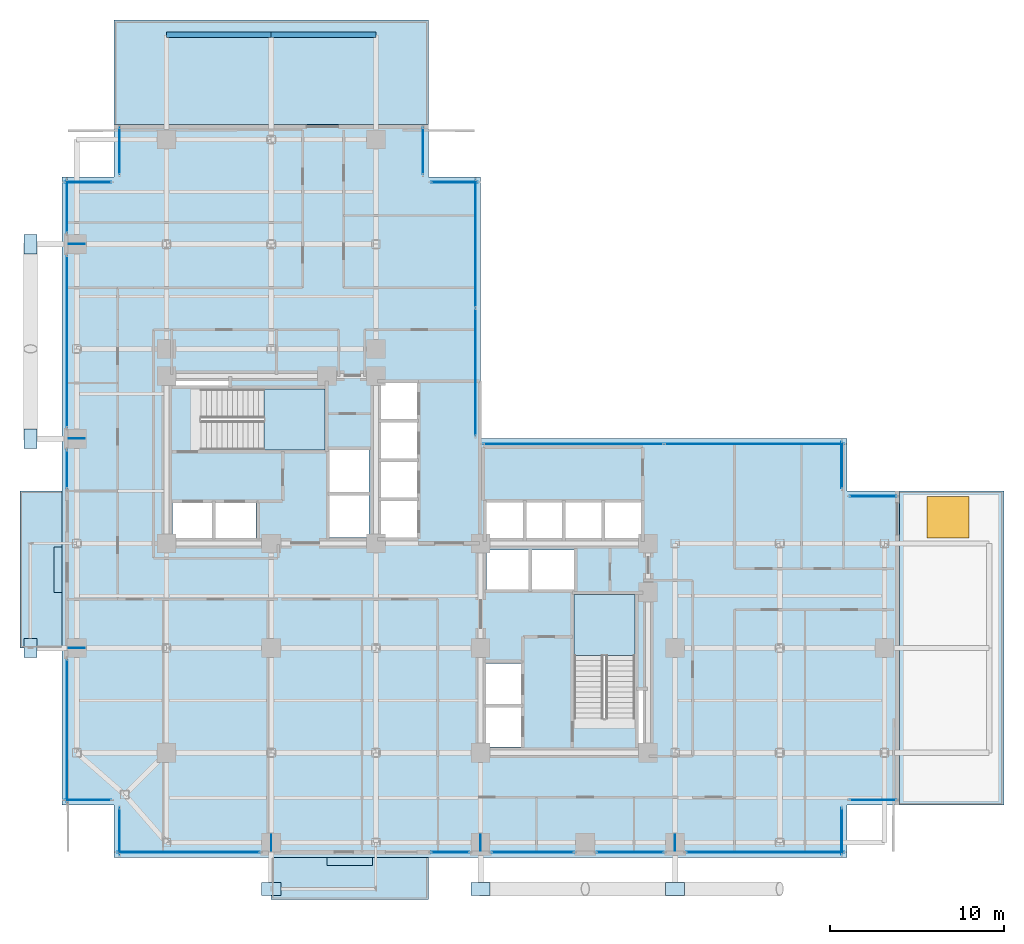
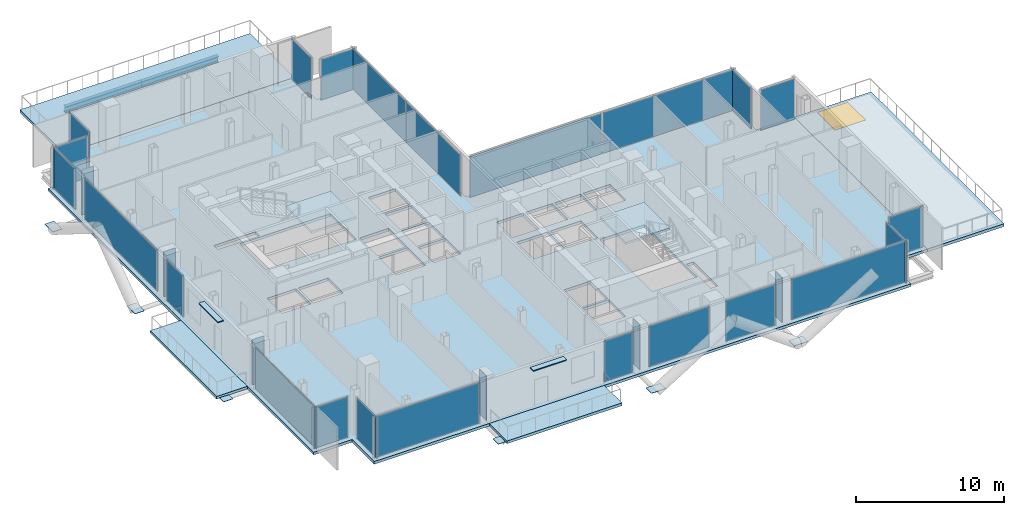
# One storey, part 18 of 26: 37 plates, 7 slabs, 2 beams, 1 window, 1 opening, 23 elements without a shape of their own.
"""IFC4 building model written with IfcOpenShell, lengths in metres."""

from ifc_helpers import new_model, si_unit, direction, frame, origin, origin_2d, place, context, subcontext, project, spatial, polyline, rectangle, i_section, outline, extrude, material, layer, layer_set, material_profile, profile_set, type_object, element, fill, aggregate, save


model = new_model("IFC4")

# Units and contexts
model_context = context("Model", 3, precision=1e-05, world=origin(), true_north=direction((0.0, 1.0)))
body_context = subcontext(model_context, "Body", "Model", "MODEL_VIEW")
ifc_project = project(units=[si_unit("LENGTHUNIT", "METRE"), si_unit("AREAUNIT", "SQUARE_METRE"), si_unit("VOLUMEUNIT", "CUBIC_METRE"), si_unit("PLANEANGLEUNIT", "RADIAN"), si_unit("MASSUNIT", "GRAM", prefix="KILO"), si_unit("THERMODYNAMICTEMPERATUREUNIT", "KELVIN"), si_unit("POWERUNIT", "WATT")], contexts=[model_context])

# Site, building, storey
site_placement = place(None, origin())
site = spatial("IfcSite", under=ifc_project, at=site_placement, CompositionType="ELEMENT")
building_placement = place(site_placement, origin())
building = spatial("IfcBuilding", under=site, at=building_placement, Name="Svarakhadi Broadcast Tower", CompositionType="ELEMENT")
storey_placement = place(building_placement, frame((0.0, 0.0, 99.60009765625)))
storey = spatial("IfcBuildingStorey", under=building, at=storey_placement, Name="L23", CompositionType="ELEMENT", Elevation=99.60009765625)

# Beams
ifc_material_1 = material(Name="Steel S355J2 (IS 2062 E350C)", Category="steel")
ifc_material_profile = material_profile(ifc_material_1, i_section(OverallWidth=0.300048828125, OverallDepth=0.5, WebThickness=0.014404296875, FlangeThickness=0.028076171875, FilletRadius=0.027099609375, at=origin_2d()), Name="WPB 500x300x187")
ifc_profile_set = profile_set([ifc_material_profile], Name="Steel S355J2 (IS 2062 E350C)")
beam_type = type_object("IfcBeamType", Name="Girder_WPB500", PredefinedType="USERDEFINED", material=ifc_profile_set)
for number, where, z_axis, x_axis, name in (
    (1, (6.0, 47.14990234375, -0.489990234375), (1.0, 0.0, 0.0), (0.0, 1.0, 0.0), "L23 North Setback Terrace Rim Girder 1"),
    (2, (12.0, 47.14990234375, -0.489990234375), (1.0, 0.0, 0.0), (0.0, 1.0, 0.0), "L23 North Setback Terrace Rim Girder 2"),
):
    element("IfcBeam", number, at=place(storey_placement, frame(where, z_axis=z_axis, x_axis=x_axis)), inside=storey, type_object=beam_type, Name=name, ObjectType="GIRDER", PredefinedType="USERDEFINED", context=body_context, shape_type="SweptSolid", body=[
        extrude(i_section(OverallWidth=0.300048828125, OverallDepth=0.5, WebThickness=0.014404296875, FlangeThickness=0.028076171875, FilletRadius=0.027099609375, at=origin_2d()), origin(), (0.0, 0.0, 1.0), 6.0),
    ])

# Curtain wall, plate
ifc_material_2 = material(Name="Anodised Bronze Aluminium AA 6063-T6", Category="aluminium")
ifc_layer_1 = layer(ifc_material_2, 0.199951171875)
ifc_layer_set_1 = layer_set([ifc_layer_1], Name="Anodised Bronze Aluminium AA 6063-T6")
curtain_wall_type = type_object("IfcCurtainWallType", Name="CW_Sys_03", PredefinedType="NOTDEFINED", material=ifc_layer_set_1)
curtain_wall_1_placement = place(storey_placement, origin())
curtain_wall_1 = element("IfcCurtainWall", 3, at=curtain_wall_1_placement, inside=storey, type_object=curtain_wall_type, Name="L23 Unitised Facade Curtain Wall 01", PredefinedType="NOTDEFINED")
ifc_material_3 = material(Name="Double Low-E Laminated Acoustic Glass IGU 36 mm", Category="glass")
ifc_layer_2 = layer(ifc_material_3, 0.035888671875)
ifc_layer_set_2 = layer_set([ifc_layer_2], Name="Double Low-E Laminated Acoustic Glass IGU 36 mm")
plate_type_1 = type_object("IfcPlateType", Name="CW_Sys_03_Pnl", PredefinedType="CURTAIN_PANEL", material=ifc_layer_set_2)
plate_1_placement = place(storey_placement, frame((1.5, 3.300048828125, 0.06982421875), z_axis=(0.0, 0.0, 1.0), x_axis=(-1.0, 0.0, 0.0)))
plate_1 = element("IfcPlate", 4, at=plate_1_placement, type_object=plate_type_1, Name="CW-03 panel 1.1", PredefinedType="CURTAIN_PANEL", context=body_context, shape_type="SweptSolid", body=[
    extrude(rectangle(XDim=2.669921875, YDim=0.035888671875, at=origin_2d()), origin(), (0.0, 0.0, 1.0), 3.385009765625),
])
aggregate(curtain_wall_1, [plate_1])

curtain_wall_2_placement = place(storey_placement, origin())
curtain_wall_2 = element("IfcCurtainWall", 5, at=curtain_wall_2_placement, inside=storey, type_object=curtain_wall_type, Name="L23 West Curtain Wall 02", PredefinedType="NOTDEFINED")
plate_2_placement = place(storey_placement, frame((0.300048828125, 7.260009765625, 0.06982421875), z_axis=(0.0, 0.0, 1.0), x_axis=(0.0, 1.0, 0.0)))
plate_2 = element("IfcPlate", 6, at=plate_2_placement, type_object=plate_type_1, Name="CW-03 panel 1.1", PredefinedType="CURTAIN_PANEL", context=body_context, shape_type="SweptSolid", body=[
    extrude(rectangle(XDim=8.18994140625, YDim=0.035888671875, at=origin_2d()), origin(), (0.0, 0.0, 1.0), 3.385009765625),
])
aggregate(curtain_wall_2, [plate_2])

curtain_wall_3_placement = place(storey_placement, origin())
curtain_wall_3 = element("IfcCurtainWall", 7, at=curtain_wall_3_placement, inside=storey, type_object=curtain_wall_type, Name="L23 West Curtain Wall 03 Bay 1", PredefinedType="NOTDEFINED")
plate_3_placement = place(storey_placement, frame((0.300048828125, 22.260009765625, 0.06982421875), z_axis=(0.0, 0.0, 1.0), x_axis=(0.0, 1.0, 0.0)))
plate_3 = element("IfcPlate", 8, at=plate_3_placement, type_object=plate_type_1, Name="CW-03 panel 1.1", PredefinedType="CURTAIN_PANEL", context=body_context, shape_type="SweptSolid", body=[
    extrude(rectangle(XDim=2.18994140625, YDim=0.035888671875, at=origin_2d()), origin(), (0.0, 0.0, 1.0), 3.385009765625),
])
aggregate(curtain_wall_3, [plate_3])

curtain_wall_4_placement = place(storey_placement, origin())
curtain_wall_4 = element("IfcCurtainWall", 9, at=curtain_wall_4_placement, inside=storey, type_object=curtain_wall_type, Name="L23 West Curtain Wall 03 Bay 2", PredefinedType="NOTDEFINED")
plate_4_placement = place(storey_placement, frame((0.300048828125, 29.574951171875, 0.06982421875), z_axis=(0.0, 0.0, 1.0), x_axis=(0.0, 1.0, 0.0)))
plate_4 = element("IfcPlate", 10, at=plate_4_placement, type_object=plate_type_1, Name="CW-03 panel 1.1", PredefinedType="CURTAIN_PANEL", context=body_context, shape_type="SweptSolid", body=[
    extrude(rectangle(XDim=9.860107421875, YDim=0.035888671875, at=origin_2d()), origin(), (0.0, 0.0, 1.0), 3.385009765625),
])
aggregate(curtain_wall_4, [plate_4])

curtain_wall_5_placement = place(storey_placement, origin())
curtain_wall_5 = element("IfcCurtainWall", 11, at=curtain_wall_5_placement, inside=storey, type_object=curtain_wall_type, Name="L23 West Curtain Wall 03 Bay 3", PredefinedType="NOTDEFINED")
plate_5_placement = place(storey_placement, frame((0.300048828125, 37.31494140625, 0.06982421875), z_axis=(0.0, 0.0, 1.0), x_axis=(0.0, 1.0, 0.0)))
plate_5 = element("IfcPlate", 12, at=plate_5_placement, type_object=plate_type_1, Name="CW-03 panel 1.1", PredefinedType="CURTAIN_PANEL", context=body_context, shape_type="SweptSolid", body=[
    extrude(rectangle(XDim=3.0400390625, YDim=0.035888671875, at=origin_2d()), origin(), (0.0, 0.0, 1.0), 3.385009765625),
])
aggregate(curtain_wall_5, [plate_5])

curtain_wall_6_placement = place(storey_placement, origin())
curtain_wall_6 = element("IfcCurtainWall", 13, at=curtain_wall_6_placement, inside=storey, type_object=curtain_wall_type, Name="L23 Unitised Facade Curtain Wall 04", PredefinedType="NOTDEFINED")
plate_6_placement = place(storey_placement, frame((1.5, 38.699951171875, 0.06982421875), z_axis=(0.0, 0.0, 1.0), x_axis=(1.0, 0.0, 0.0)))
plate_6 = element("IfcPlate", 14, at=plate_6_placement, type_object=plate_type_1, Name="CW-03 panel 1.1", PredefinedType="CURTAIN_PANEL", context=body_context, shape_type="SweptSolid", body=[
    extrude(rectangle(XDim=2.669921875, YDim=0.035888671875, at=origin_2d()), origin(), (0.0, 0.0, 1.0), 3.385009765625),
])
aggregate(curtain_wall_6, [plate_6])

curtain_wall_7_placement = place(storey_placement, origin())
curtain_wall_7 = element("IfcCurtainWall", 15, at=curtain_wall_7_placement, inside=storey, type_object=curtain_wall_type, Name="L23 Unitised Facade Curtain Wall 05", PredefinedType="NOTDEFINED")
plate_7_placement = place(storey_placement, frame((3.300048828125, 40.5, 0.06982421875), z_axis=(0.0, 0.0, 1.0), x_axis=(0.0, 1.0, 0.0)))
plate_7 = element("IfcPlate", 16, at=plate_7_placement, type_object=plate_type_1, Name="CW-03 panel 1.1", PredefinedType="CURTAIN_PANEL", context=body_context, shape_type="SweptSolid", body=[
    extrude(rectangle(XDim=2.669921875, YDim=0.035888671875, at=origin_2d()), origin(), (0.0, 0.0, 1.0), 3.385009765625),
])
aggregate(curtain_wall_7, [plate_7])

curtain_wall_8_placement = place(storey_placement, origin())
curtain_wall_8 = element("IfcCurtainWall", 17, at=curtain_wall_8_placement, inside=storey, type_object=curtain_wall_type, Name="L23 Unitised Facade Curtain Wall 06", PredefinedType="NOTDEFINED")
plate_8_placement = place(storey_placement, frame((20.699951171875, 40.5, 0.06982421875), z_axis=(0.0, 0.0, 1.0), x_axis=(0.0, -1.0, 0.0)))
plate_8 = element("IfcPlate", 18, at=plate_8_placement, type_object=plate_type_1, Name="CW-03 panel 1.1", PredefinedType="CURTAIN_PANEL", context=body_context, shape_type="SweptSolid", body=[
    extrude(rectangle(XDim=2.669921875, YDim=0.035888671875, at=origin_2d()), origin(), (0.0, 0.0, 1.0), 3.385009765625),
])
aggregate(curtain_wall_8, [plate_8])

curtain_wall_9_placement = place(storey_placement, origin())
curtain_wall_9 = element("IfcCurtainWall", 19, at=curtain_wall_9_placement, inside=storey, type_object=curtain_wall_type, Name="L23 Unitised Facade Curtain Wall 07", PredefinedType="NOTDEFINED")
plate_9_placement = place(storey_placement, frame((22.5, 38.699951171875, 0.06982421875), z_axis=(0.0, 0.0, 1.0), x_axis=(1.0, 0.0, 0.0)))
plate_9 = element("IfcPlate", 20, at=plate_9_placement, type_object=plate_type_1, Name="CW-03 panel 1.1", PredefinedType="CURTAIN_PANEL", context=body_context, shape_type="SweptSolid", body=[
    extrude(rectangle(XDim=2.669921875, YDim=0.035888671875, at=origin_2d()), origin(), (0.0, 0.0, 1.0), 3.385009765625),
])
aggregate(curtain_wall_9, [plate_9])

# Curtain wall, plates
curtain_wall_10_placement = place(storey_placement, origin())
curtain_wall_10 = element("IfcCurtainWall", 21, at=curtain_wall_10_placement, inside=storey, type_object=curtain_wall_type, Name="L23 Unitised Facade Curtain Wall 08", PredefinedType="NOTDEFINED")
plate_10_placement = place(storey_placement, frame((23.699951171875, 35.186279296875, 0.06982421875), z_axis=(0.0, 0.0, 1.0), x_axis=(0.0, -1.0, 0.0)))
plate_10 = element("IfcPlate", 22, at=plate_10_placement, type_object=plate_type_1, Name="CW-03 panel 1.1", PredefinedType="CURTAIN_PANEL", context=body_context, shape_type="SweptSolid", body=[
    extrude(rectangle(XDim=7.297607421875, YDim=0.035888671875, at=origin_2d()), origin(), (0.0, 0.0, 1.0), 3.385009765625),
])
plate_11_placement = place(storey_placement, frame((23.699951171875, 27.813720703125, 0.06982421875), z_axis=(0.0, 0.0, 1.0), x_axis=(0.0, -1.0, 0.0)))
plate_11 = element("IfcPlate", 23, at=plate_11_placement, type_object=plate_type_1, Name="CW-03 panel 2.1", PredefinedType="CURTAIN_PANEL", context=body_context, shape_type="SweptSolid", body=[
    extrude(rectangle(XDim=7.297607421875, YDim=0.035888671875, at=origin_2d()), origin(), (0.0, 0.0, 1.0), 3.385009765625),
])
aggregate(curtain_wall_10, [plate_10, plate_11])

curtain_wall_11_placement = place(storey_placement, origin())
curtain_wall_11 = element("IfcCurtainWall", 24, at=curtain_wall_11_placement, inside=storey, type_object=curtain_wall_type, Name="L23 Unitised Facade Curtain Wall 09", PredefinedType="NOTDEFINED")
plate_12_placement = place(storey_placement, frame((29.313720703125, 23.699951171875, 0.06982421875), z_axis=(0.0, 0.0, 1.0), x_axis=(1.0, 0.0, 0.0)))
plate_12 = element("IfcPlate", 25, at=plate_12_placement, type_object=plate_type_1, Name="CW-03 panel 1.1", PredefinedType="CURTAIN_PANEL", context=body_context, shape_type="SweptSolid", body=[
    extrude(rectangle(XDim=10.297607421875, YDim=0.035888671875, at=origin_2d()), origin(), (0.0, 0.0, 1.0), 3.385009765625),
])
plate_13_placement = place(storey_placement, frame((39.686279296875, 23.699951171875, 0.06982421875), z_axis=(0.0, 0.0, 1.0), x_axis=(1.0, 0.0, 0.0)))
plate_13 = element("IfcPlate", 26, at=plate_13_placement, type_object=plate_type_1, Name="CW-03 panel 2.1", PredefinedType="CURTAIN_PANEL", context=body_context, shape_type="SweptSolid", body=[
    extrude(rectangle(XDim=10.297607421875, YDim=0.035888671875, at=origin_2d()), origin(), (0.0, 0.0, 1.0), 3.385009765625),
])
aggregate(curtain_wall_11, [plate_12, plate_13])

# Curtain wall, plate
curtain_wall_12_placement = place(storey_placement, origin())
curtain_wall_12 = element("IfcCurtainWall", 27, at=curtain_wall_12_placement, inside=storey, type_object=curtain_wall_type, Name="L23 Unitised Facade Curtain Wall 10", PredefinedType="NOTDEFINED")
plate_14_placement = place(storey_placement, frame((44.699951171875, 22.5, 0.06982421875), z_axis=(0.0, 0.0, 1.0), x_axis=(0.0, -1.0, 0.0)))
plate_14 = element("IfcPlate", 28, at=plate_14_placement, type_object=plate_type_1, Name="CW-03 panel 1.1", PredefinedType="CURTAIN_PANEL", context=body_context, shape_type="SweptSolid", body=[
    extrude(rectangle(XDim=2.669921875, YDim=0.035888671875, at=origin_2d()), origin(), (0.0, 0.0, 1.0), 3.385009765625),
])
aggregate(curtain_wall_12, [plate_14])

curtain_wall_13_placement = place(storey_placement, origin())
curtain_wall_13 = element("IfcCurtainWall", 29, at=curtain_wall_13_placement, inside=storey, type_object=curtain_wall_type, Name="L23 Unitised Facade Curtain Wall 11", PredefinedType="NOTDEFINED")
plate_15_placement = place(storey_placement, frame((46.5, 20.699951171875, 0.06982421875), z_axis=(0.0, 0.0, 1.0), x_axis=(1.0, 0.0, 0.0)))
plate_15 = element("IfcPlate", 30, at=plate_15_placement, type_object=plate_type_1, Name="CW-03 panel 1.1", PredefinedType="CURTAIN_PANEL", context=body_context, shape_type="SweptSolid", body=[
    extrude(rectangle(XDim=2.669921875, YDim=0.035888671875, at=origin_2d()), origin(), (0.0, 0.0, 1.0), 3.385009765625),
])
aggregate(curtain_wall_13, [plate_15])

curtain_wall_14_placement = place(storey_placement, origin())
curtain_wall_14 = element("IfcCurtainWall", 31, at=curtain_wall_14_placement, inside=storey, type_object=curtain_wall_type, Name="L23 Unitised Facade Curtain Wall 12", PredefinedType="NOTDEFINED")
plate_16_placement = place(storey_placement, frame((46.5, 3.300048828125, 0.06982421875), z_axis=(0.0, 0.0, 1.0), x_axis=(-1.0, 0.0, 0.0)))
plate_16 = element("IfcPlate", 32, at=plate_16_placement, type_object=plate_type_1, Name="CW-03 panel 1.1", PredefinedType="CURTAIN_PANEL", context=body_context, shape_type="SweptSolid", body=[
    extrude(rectangle(XDim=2.669921875, YDim=0.035888671875, at=origin_2d()), origin(), (0.0, 0.0, 1.0), 3.385009765625),
])
aggregate(curtain_wall_14, [plate_16])

curtain_wall_15_placement = place(storey_placement, origin())
curtain_wall_15 = element("IfcCurtainWall", 33, at=curtain_wall_15_placement, inside=storey, type_object=curtain_wall_type, Name="L23 Unitised Facade Curtain Wall 13", PredefinedType="NOTDEFINED")
plate_17_placement = place(storey_placement, frame((44.699951171875, 1.5, 0.06982421875), z_axis=(0.0, 0.0, 1.0), x_axis=(0.0, -1.0, 0.0)))
plate_17 = element("IfcPlate", 34, at=plate_17_placement, type_object=plate_type_1, Name="CW-03 panel 1.1", PredefinedType="CURTAIN_PANEL", context=body_context, shape_type="SweptSolid", body=[
    extrude(rectangle(XDim=2.669921875, YDim=0.035888671875, at=origin_2d()), origin(), (0.0, 0.0, 1.0), 3.385009765625),
])
aggregate(curtain_wall_15, [plate_17])

curtain_wall_16_placement = place(storey_placement, origin())
curtain_wall_16 = element("IfcCurtainWall", 35, at=curtain_wall_16_placement, inside=storey, type_object=curtain_wall_type, Name="L23 South Curtain Wall 14 Bay 1", PredefinedType="NOTDEFINED")
plate_18_placement = place(storey_placement, frame((40.31494140625, 0.300048828125, 0.06982421875), z_axis=(0.0, 0.0, 1.0), x_axis=(-1.0, 0.0, 0.0)))
plate_18 = element("IfcPlate", 36, at=plate_18_placement, type_object=plate_type_1, Name="CW-03 panel 1.1", PredefinedType="CURTAIN_PANEL", context=body_context, shape_type="SweptSolid", body=[
    extrude(rectangle(XDim=9.0400390625, YDim=0.035888671875, at=origin_2d()), origin(), (0.0, 0.0, 1.0), 3.385009765625),
])
aggregate(curtain_wall_16, [plate_18])

curtain_wall_17_placement = place(storey_placement, origin())
curtain_wall_17 = element("IfcCurtainWall", 37, at=curtain_wall_17_placement, inside=storey, type_object=curtain_wall_type, Name="L23 South Curtain Wall 14 Bay 2", PredefinedType="NOTDEFINED")
plate_19_placement = place(storey_placement, frame((32.574951171875, 0.300048828125, 0.06982421875), z_axis=(0.0, 0.0, 1.0), x_axis=(-1.0, 0.0, 0.0)))
plate_19 = element("IfcPlate", 38, at=plate_19_placement, type_object=plate_type_1, Name="CW-03 panel 1.1", PredefinedType="CURTAIN_PANEL", context=body_context, shape_type="SweptSolid", body=[
    extrude(rectangle(XDim=3.860107421875, YDim=0.035888671875, at=origin_2d()), origin(), (0.0, 0.0, 1.0), 3.385009765625),
])
aggregate(curtain_wall_17, [plate_19])

curtain_wall_18_placement = place(storey_placement, origin())
curtain_wall_18 = element("IfcCurtainWall", 39, at=curtain_wall_18_placement, inside=storey, type_object=curtain_wall_type, Name="L23 South Curtain Wall 14 Bay 3", PredefinedType="NOTDEFINED")
plate_20_placement = place(storey_placement, frame((27.0, 0.300048828125, 0.06982421875), z_axis=(0.0, 0.0, 1.0), x_axis=(-1.0, 0.0, 0.0)))
plate_20 = element("IfcPlate", 40, at=plate_20_placement, type_object=plate_type_1, Name="CW-03 panel 1.1", PredefinedType="CURTAIN_PANEL", context=body_context, shape_type="SweptSolid", body=[
    extrude(rectangle(XDim=4.7099609375, YDim=0.035888671875, at=origin_2d()), origin(), (0.0, 0.0, 1.0), 3.385009765625),
])
aggregate(curtain_wall_18, [plate_20])

curtain_wall_19_placement = place(storey_placement, origin())
curtain_wall_19 = element("IfcCurtainWall", 41, at=curtain_wall_19_placement, inside=storey, type_object=curtain_wall_type, Name="L23 South Curtain Wall 14 Bay 4", PredefinedType="NOTDEFINED")
plate_21_placement = place(storey_placement, frame((22.260009765625, 0.300048828125, 0.06982421875), z_axis=(0.0, 0.0, 1.0), x_axis=(-1.0, 0.0, 0.0)))
plate_21 = element("IfcPlate", 42, at=plate_21_placement, type_object=plate_type_1, Name="CW-03 panel 1.1", PredefinedType="CURTAIN_PANEL", context=body_context, shape_type="SweptSolid", body=[
    extrude(rectangle(XDim=2.18994140625, YDim=0.035888671875, at=origin_2d()), origin(), (0.0, 0.0, 1.0), 3.385009765625),
])
aggregate(curtain_wall_19, [plate_21])

curtain_wall_20_placement = place(storey_placement, origin())
curtain_wall_20 = element("IfcCurtainWall", 43, at=curtain_wall_20_placement, inside=storey, type_object=curtain_wall_type, Name="L23 South Curtain Wall 15", PredefinedType="NOTDEFINED")
plate_22_placement = place(storey_placement, frame((7.260009765625, 0.300048828125, 0.06982421875), z_axis=(0.0, 0.0, 1.0), x_axis=(-1.0, 0.0, 0.0)))
plate_22 = element("IfcPlate", 44, at=plate_22_placement, type_object=plate_type_1, Name="CW-03 panel 1.1", PredefinedType="CURTAIN_PANEL", context=body_context, shape_type="SweptSolid", body=[
    extrude(rectangle(XDim=8.18994140625, YDim=0.035888671875, at=origin_2d()), origin(), (0.0, 0.0, 1.0), 3.385009765625),
])
aggregate(curtain_wall_20, [plate_22])

curtain_wall_21_placement = place(storey_placement, origin())
curtain_wall_21 = element("IfcCurtainWall", 45, at=curtain_wall_21_placement, inside=storey, type_object=curtain_wall_type, Name="L23 Unitised Facade Curtain Wall 16", PredefinedType="NOTDEFINED")
plate_23_placement = place(storey_placement, frame((3.300048828125, 1.5, 0.06982421875), z_axis=(0.0, 0.0, 1.0), x_axis=(0.0, 1.0, 0.0)))
plate_23 = element("IfcPlate", 46, at=plate_23_placement, type_object=plate_type_1, Name="CW-03 panel 1.1", PredefinedType="CURTAIN_PANEL", context=body_context, shape_type="SweptSolid", body=[
    extrude(rectangle(XDim=2.669921875, YDim=0.035888671875, at=origin_2d()), origin(), (0.0, 0.0, 1.0), 3.385009765625),
])
aggregate(curtain_wall_21, [plate_23])

# Plates
ifc_material_4 = material(Name="Steel S460ML (IS 2062 E450BR)", Category="steel")
ifc_layer_3 = layer(ifc_material_4, 0.033935546875)
ifc_layer_set_3 = layer_set([ifc_layer_3], Name="Steel S460ML (IS 2062 E450BR)")
plate_type_2 = type_object("IfcPlateType", Name="Node_Gusset_N06", PredefinedType="SHEET", material=ifc_layer_set_3)
for number, where, z_axis, x_axis, name in (
    (47, (12.0, -1.800048828125, -0.22509765625), (0.0, 0.0, 1.0), (1.0, 0.0, 0.0), "L23 Exoskeleton Gusset Node Plate S01"),
    (48, (24.0, -1.800048828125, -0.22509765625), (0.0, 0.0, 1.0), (1.0, 0.0, 0.0), "L23 Exoskeleton Gusset Node Plate S02"),
    (49, (35.14990234375, -1.800048828125, -0.22509765625), (0.0, 0.0, 1.0), (1.0, 0.0, 0.0), "L23 Exoskeleton Gusset Node Plate S03"),
    (50, (-1.800048828125, 12.0, -0.22509765625), (0.0, 0.0, 1.0), (0.0, 1.0, 0.0), "L23 Exoskeleton Gusset Node Plate W04"),
    (51, (-1.800048828125, 24.0, -0.22509765625), (0.0, 0.0, 1.0), (0.0, 1.0, 0.0), "L23 Exoskeleton Gusset Node Plate W05"),
    (52, (-1.800048828125, 35.14990234375, -0.22509765625), (0.0, 0.0, 1.0), (0.0, 1.0, 0.0), "L23 Exoskeleton Gusset Node Plate W06"),
):
    element("IfcPlate", number, at=place(storey_placement, frame(where, z_axis=z_axis, x_axis=x_axis)), inside=storey, type_object=plate_type_2, Name=name, PredefinedType="SHEET", context=body_context, shape_type="SweptSolid", body=[
        extrude(rectangle(XDim=1.10009765625, YDim=0.75, at=origin_2d()), origin(), (0.0, 0.0, 1.0), 0.033935546875),
    ])
ifc_layer_4 = layer(ifc_material_4, 0.02587890625)
ifc_layer_set_4 = layer_set([ifc_layer_4], Name="Steel S460ML (IS 2062 E450BR)")
plate_type_3 = type_object("IfcPlateType", Name="Node_Gusset_N07", PredefinedType="SHEET", material=ifc_layer_set_4)
for number, where, z_axis, x_axis, name in (
    (53, (12.0, 0.85009765625, -0.5869140625), (0.0, 0.0, 1.0), (0.0, 1.0, 0.0), "L23 Brace End Connection Gusset Plate N-07-E0185"),
    (54, (24.0, 0.85009765625, -0.5869140625), (0.0, 0.0, 1.0), (0.0, 1.0, 0.0), "L23 Brace End Connection Gusset Plate N-07-E0186"),
    (55, (35.14990234375, 0.85009765625, -0.5869140625), (0.0, 0.0, 1.0), (0.0, 1.0, 0.0), "L23 Brace End Connection Gusset Plate N-07-E0187"),
    (56, (0.85009765625, 12.0, -0.5869140625), (0.0, 0.0, 1.0), (1.0, 0.0, 0.0), "L23 Brace End Connection Gusset Plate N-07-E0188"),
    (57, (0.85009765625, 24.0, -0.5869140625), (0.0, 0.0, 1.0), (1.0, 0.0, 0.0), "L23 Brace End Connection Gusset Plate N-07-E0189"),
    (58, (0.85009765625, 35.14990234375, -0.5869140625), (0.0, 0.0, 1.0), (1.0, 0.0, 0.0), "L23 Brace End Connection Gusset Plate N-07-E0190"),
):
    element("IfcPlate", number, at=place(storey_placement, frame(where, z_axis=z_axis, x_axis=x_axis)), inside=storey, type_object=plate_type_3, Name=name, PredefinedType="SHEET", context=body_context, shape_type="SweptSolid", body=[
        extrude(rectangle(XDim=0.919921875, YDim=0.02587890625, at=origin_2d()), origin(), (0.0, 0.0, 1.0), 4.300048828125),
    ])

# Slab
ifc_material_5 = material(Name="Concrete C40/50 (IS 456 M50)", Category="concrete")
ifc_layer_5 = layer(ifc_material_5, 0.22509765625)
ifc_layer_set_5 = layer_set([ifc_layer_5], Name="Concrete C40/50 (IS 456 M50)")
slab_type_1 = type_object("IfcSlabType", Name="Slab_Floor_225", PredefinedType="FLOOR", material=ifc_layer_set_5)
slab_1_placement = place(storey_placement, frame((0.0, 0.0, -0.22509765625)))
element("IfcSlab", 59, at=slab_1_placement, inside=storey, type_object=slab_type_1, Name="L23 Structural Floor Slab", PredefinedType="FLOOR", context=body_context, shape_type="SweptSolid", body=[
    extrude(outline(polyline([(3.0, 0.0), (45.0, 0.0), (45.0, 3.0), (48.0, 3.0), (48.0, 21.0), (45.0, 21.0), (45.0, 24.0), (24.0, 24.0), (24.0, 39.0), (21.0, 39.0), (21.0, 42.0), (3.0, 42.0), (3.0, 39.0), (0.0, 39.0), (0.0, 3.0), (3.0, 3.0), (3.0, 0.0)]), holes=[polyline([(7.97998046875, 23.360107421875), (15.080078125, 23.360107421875), (15.080078125, 26.840087890625), (7.97998046875, 26.840087890625), (7.97998046875, 23.360107421875)]), polyline([(32.840087890625, 7.97998046875), (32.840087890625, 15.080078125), (29.360107421875, 15.080078125), (29.360107421875, 7.97998046875), (32.840087890625, 7.97998046875)]), polyline([(6.340087890625, 18.2900390625), (8.610107421875, 18.2900390625), (8.610107421875, 20.330078125), (6.340087890625, 20.330078125), (6.340087890625, 18.2900390625)]), polyline([(8.7900390625, 18.2900390625), (11.1298828125, 18.2900390625), (11.1298828125, 20.330078125), (8.7900390625, 20.330078125), (8.7900390625, 18.2900390625)]), polyline([(24.2900390625, 6.340087890625), (26.330078125, 6.340087890625), (26.330078125, 8.610107421875), (24.2900390625, 8.610107421875), (24.2900390625, 6.340087890625)]), polyline([(24.2900390625, 8.7900390625), (26.330078125, 8.7900390625), (26.330078125, 11.1298828125), (24.2900390625, 11.1298828125), (24.2900390625, 8.7900390625)]), polyline([(6.340087890625, 26.989990234375), (9.610107421875, 26.989990234375), (9.610107421875, 27.530029296875), (6.340087890625, 27.530029296875), (6.340087890625, 26.989990234375)]), polyline([(32.989990234375, 6.340087890625), (33.530029296875, 6.340087890625), (33.530029296875, 9.610107421875), (32.989990234375, 9.610107421875), (32.989990234375, 6.340087890625)]), polyline([(15.340087890625, 18.340087890625), (17.610107421875, 18.340087890625), (17.610107421875, 20.760009765625), (15.340087890625, 20.760009765625), (15.340087890625, 18.340087890625)]), polyline([(15.340087890625, 20.93994140625), (17.610107421875, 20.93994140625), (17.610107421875, 23.360107421875), (15.340087890625, 23.360107421875), (15.340087890625, 20.93994140625)]), polyline([(24.340087890625, 15.340087890625), (26.760009765625, 15.340087890625), (26.760009765625, 17.610107421875), (24.340087890625, 17.610107421875), (24.340087890625, 15.340087890625)]), polyline([(26.93994140625, 15.340087890625), (29.360107421875, 15.340087890625), (29.360107421875, 17.610107421875), (26.93994140625, 17.610107421875), (26.93994140625, 15.340087890625)]), polyline([(18.239990234375, 18.340087890625), (20.360107421875, 18.340087890625), (20.360107421875, 20.429931640625), (18.239990234375, 20.429931640625), (18.239990234375, 18.340087890625)]), polyline([(18.239990234375, 20.610107421875), (20.360107421875, 20.610107421875), (20.360107421875, 22.679931640625), (18.239990234375, 22.679931640625), (18.239990234375, 20.610107421875)]), polyline([(18.239990234375, 22.860107421875), (20.360107421875, 22.860107421875), (20.360107421875, 24.929931640625), (18.239990234375, 24.929931640625), (18.239990234375, 22.860107421875)]), polyline([(18.239990234375, 25.110107421875), (20.360107421875, 25.110107421875), (20.360107421875, 27.2099609375), (18.239990234375, 27.2099609375), (18.239990234375, 25.110107421875)]), polyline([(24.340087890625, 18.239990234375), (26.429931640625, 18.239990234375), (26.429931640625, 20.360107421875), (24.340087890625, 20.360107421875), (24.340087890625, 18.239990234375)]), polyline([(26.610107421875, 18.239990234375), (28.679931640625, 18.239990234375), (28.679931640625, 20.360107421875), (26.610107421875, 20.360107421875), (26.610107421875, 18.239990234375)]), polyline([(28.860107421875, 18.239990234375), (30.929931640625, 18.239990234375), (30.929931640625, 20.360107421875), (28.860107421875, 20.360107421875), (28.860107421875, 18.239990234375)]), polyline([(31.110107421875, 18.239990234375), (33.2099609375, 18.239990234375), (33.2099609375, 20.360107421875), (31.110107421875, 20.360107421875), (31.110107421875, 18.239990234375)])]), origin(), (0.0, 0.0, 1.0), 0.22509765625),
])

# Slab, opening, window
ifc_layer_6 = layer(ifc_material_5, 0.239990234375)
ifc_layer_set_6 = layer_set([ifc_layer_6], Name="Concrete C40/50 (IS 456 M50)")
slab_type_2 = type_object("IfcSlabType", Name="Slab_SetbackTerr", PredefinedType="ROOF", material=ifc_layer_set_6)
slab_2_placement = place(storey_placement, frame((0.0, 0.0, -0.239990234375)))
slab_2 = element("IfcSlab", 60, at=slab_2_placement, inside=storey, type_object=slab_type_2, Name="L23 East Wing Setback Sky Garden Terrace Slab", PredefinedType="ROOF", context=body_context, shape_type="SweptSolid", body=[
    extrude(outline(polyline([(48.0, 3.0), (54.0, 3.0), (54.0, 21.0), (48.0, 21.0), (48.0, 3.0)])), origin(), (0.0, 0.0, 1.0), 0.239990234375),
])
opening_placement = place(slab_2_placement, frame((50.800048828125, 19.5, -0.010009765625)))
opening = element("IfcOpeningElement", 61, at=opening_placement, cuts=slab_2, Name="Opening SK-02", PredefinedType="OPENING", context=body_context, shape_type="SweptSolid", body=[
    extrude(rectangle(XDim=2.39990234375, YDim=2.39990234375, at=origin_2d()), origin(), (0.0, 0.0, 1.0), 0.260009765625),
])
window_type = type_object("IfcWindowType", Name="Sky_Terr_SK02", PartitioningType="SINGLE_PANEL", PredefinedType="SKYLIGHT", material=ifc_material_3)
window_placement = place(slab_2_placement, frame((50.800048828125, 19.5, 0.18994140625)))
window = element("IfcWindow", 62, at=window_placement, inside=storey, type_object=window_type, Name="L23 Setback Sky Garden Skylight SK-02", OverallHeight=2.39990234375, OverallWidth=2.39990234375, PartitioningType="SINGLE_PANEL", PredefinedType="SKYLIGHT", context=body_context, shape_type="SweptSolid", body=[
    extrude(rectangle(XDim=2.39990234375, YDim=2.39990234375, at=origin_2d()), origin(), (0.0, 0.0, 1.0), 0.050048828125),
])
fill(opening, window)

# Slab
slab_3_placement = place(storey_placement, frame((0.0, 0.0, -0.239990234375)))
element("IfcSlab", 63, at=slab_3_placement, inside=storey, type_object=slab_type_2, Name="L23 North Wing Setback Sky Garden Terrace Slab", PredefinedType="ROOF", context=body_context, shape_type="SweptSolid", body=[
    extrude(outline(polyline([(3.0, 42.0), (21.0, 42.0), (21.0, 48.0), (3.0, 48.0), (3.0, 42.0)])), origin(), (0.0, 0.0, 1.0), 0.239990234375),
])

# Stair, slab
stair_type = type_object("IfcStairType", Name="Stair_Exit_Core", PredefinedType="HALF_TURN_STAIR", material=ifc_material_5)
stair_1_placement = place(storey_placement, origin())
stair_1 = element("IfcStair", 64, at=stair_1_placement, inside=storey, type_object=stair_type, Name="L23 West Core Protected Exit Stair ST-01", PredefinedType="HALF_TURN_STAIR")
ifc_layer_7 = layer(ifc_material_5, 0.199951171875)
ifc_layer_set_7 = layer_set([ifc_layer_7], Name="Concrete C40/50 (IS 456 M50)")
slab_type_3 = type_object("IfcSlabType", Name="Slab_Stair_Land", PredefinedType="LANDING", material=ifc_layer_set_7)
slab_4_placement = place(storey_placement, frame((0.0, 0.0, 1.6748046875)))
slab_4 = element("IfcSlab", 65, at=slab_4_placement, type_object=slab_type_3, Name="ST-01 landing 1", PredefinedType="LANDING", context=body_context, shape_type="SweptSolid", body=[
    extrude(outline(polyline([(11.580078125, 23.360107421875), (15.080078125, 23.360107421875), (15.080078125, 26.840087890625), (11.580078125, 26.840087890625), (11.580078125, 23.360107421875)])), origin(), (0.0, 0.0, 1.0), 0.2001953125),
])
aggregate(stair_1, [slab_4])

stair_2_placement = place(storey_placement, origin())
stair_2 = element("IfcStair", 66, at=stair_2_placement, inside=storey, type_object=stair_type, Name="L23 East Core Protected Exit Stair ST-02", PredefinedType="HALF_TURN_STAIR")
slab_5_placement = place(storey_placement, frame((0.0, 0.0, 1.6748046875)))
slab_5 = element("IfcSlab", 67, at=slab_5_placement, type_object=slab_type_3, Name="ST-02 landing 1", PredefinedType="LANDING", context=body_context, shape_type="SweptSolid", body=[
    extrude(outline(polyline([(32.840087890625, 11.580078125), (32.840087890625, 15.080078125), (29.360107421875, 15.080078125), (29.360107421875, 11.580078125), (32.840087890625, 11.580078125)])), origin(), (0.0, 0.0, 1.0), 0.2001953125),
])
aggregate(stair_2, [slab_5])

# Slabs
ifc_layer_8 = layer(ifc_material_5, 0.22509765625)
ifc_layer_set_8 = layer_set([ifc_layer_8], Name="Concrete C40/50 (IS 456 M50)")
slab_type_4 = type_object("IfcSlabType", Name="Slab_TreeBalcony", PredefinedType="FLOOR", material=ifc_layer_set_8)
slab_6_placement = place(storey_placement, frame((0.0, 0.0, -0.22509765625)))
element("IfcSlab", 68, at=slab_6_placement, inside=storey, type_object=slab_type_4, Name="L23 Planted Tree Balcony Slab BAL-S", PredefinedType="FLOOR", context=body_context, shape_type="SweptSolid", body=[
    extrude(outline(polyline([(12.0, -2.39990234375), (21.0, -2.39990234375), (21.0, 0.0), (12.0, 0.0), (12.0, -2.39990234375)])), origin(), (0.0, 0.0, 1.0), 0.22509765625),
])
slab_7_placement = place(storey_placement, frame((0.0, 0.0, -0.22509765625)))
element("IfcSlab", 69, at=slab_7_placement, inside=storey, type_object=slab_type_4, Name="L23 Planted Tree Balcony Slab BAL-W", PredefinedType="FLOOR", context=body_context, shape_type="SweptSolid", body=[
    extrude(outline(polyline([(-2.39990234375, 12.0), (0.0, 12.0), (0.0, 21.0), (-2.39990234375, 21.0), (-2.39990234375, 12.0)])), origin(), (0.0, 0.0, 1.0), 0.22509765625),
])

# Plates
ifc_layer_9 = layer(ifc_material_2, 0.080078125)
ifc_layer_set_9 = layer_set([ifc_layer_9], Name="Anodised Bronze Aluminium AA 6063-T6")
plate_type_4 = type_object("IfcPlateType", Name="Sunshade_Fin_SS01", PredefinedType="USERDEFINED", material=ifc_layer_set_9)
for number, where, z_axis, x_axis, name in (
    (70, (16.5, -0.22509765625, 3.44482421875), (0.0, 0.0, 1.0), (1.0, 0.0, 0.0), "L23 South Bronze Brise-Soleil Sunshade SS-01"),
    (71, (-0.22509765625, 16.5, 3.44482421875), (0.0, 0.0, 1.0), (0.0, 1.0, 0.0), "L23 West Bronze Brise-Soleil Sunshade SS-01"),
):
    element("IfcPlate", number, at=place(storey_placement, frame(where, z_axis=z_axis, x_axis=x_axis)), inside=storey, type_object=plate_type_4, Name=name, ObjectType="SUNSHADE", PredefinedType="USERDEFINED", context=body_context, shape_type="SweptSolid", body=[
        extrude(rectangle(XDim=2.60009765625, YDim=0.449951171875, at=origin_2d()), origin(), (0.0, 0.0, 1.0), 0.080078125),
    ])

save(model, "model.ifc")
